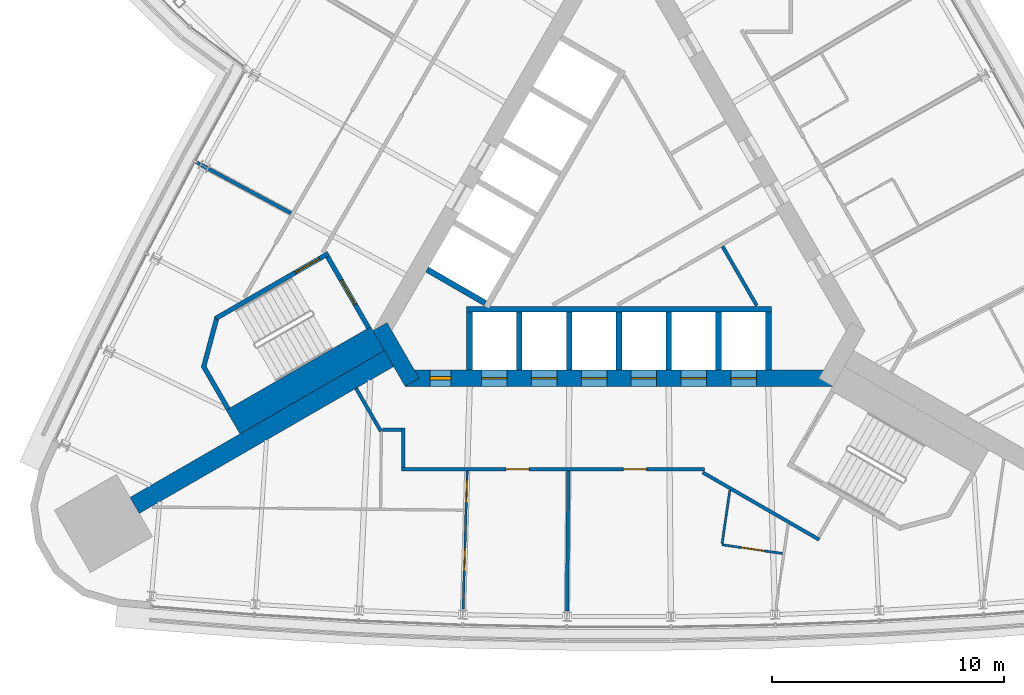
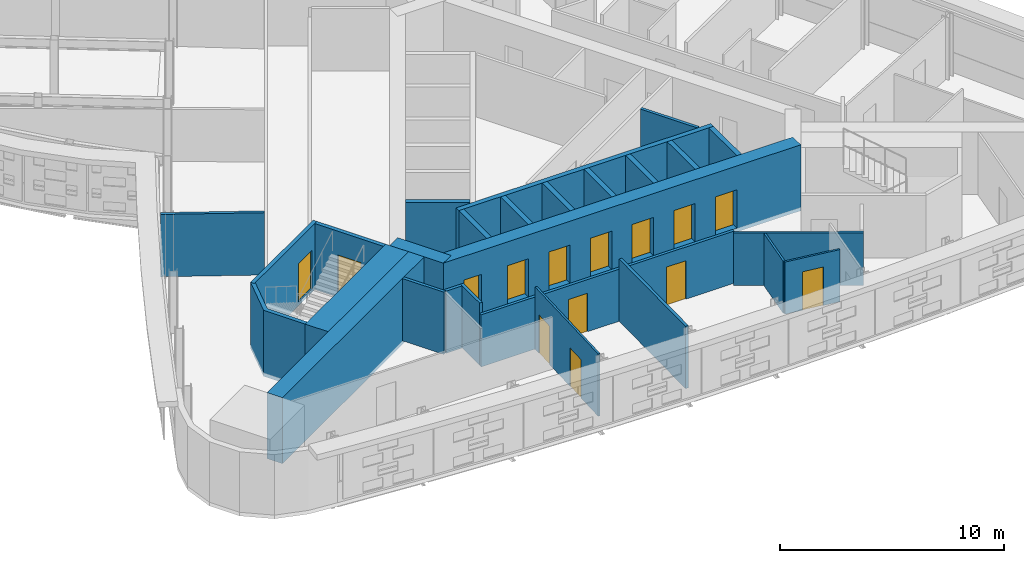
# One storey, part 11 of 17: 27 walls, 14 doors, 14 openings.
"""IFC4 building model written with IfcOpenShell, lengths in metres."""

from ifc_helpers import new_model, si_unit, direction, frame, frame_2d, origin, place, context, subcontext, project, spatial, polyline, rectangle, outline, extrude, material, layer, layer_set, type_object, element, fill, save


model = new_model("IFC4")

# Units and contexts
model_context = context("Model", 3, precision=1e-05, world=origin(), true_north=direction((0.0, 1.0)))
body_context = subcontext(model_context, "Body", "Model", "MODEL_VIEW")
ifc_project = project(units=[si_unit("LENGTHUNIT", "METRE"), si_unit("AREAUNIT", "SQUARE_METRE"), si_unit("VOLUMEUNIT", "CUBIC_METRE"), si_unit("PLANEANGLEUNIT", "RADIAN"), si_unit("MASSUNIT", "GRAM", prefix="KILO")], contexts=[model_context])

# Site, building, storey
site_placement = place(None, origin())
site = spatial("IfcSite", under=ifc_project, at=site_placement, CompositionType="ELEMENT")
building_placement = place(site_placement, origin())
building = spatial("IfcBuilding", under=site, at=building_placement, Name="Noor Cloister Tower", CompositionType="ELEMENT")
storey_placement = place(building_placement, frame((0.0, 0.0, 102.300048828125)))
storey = spatial("IfcBuildingStorey", under=building, at=storey_placement, Name="L26", CompositionType="ELEMENT", Elevation=102.300048828125)

# Walls
ifc_material_1 = material(Name="Concrete C80/95", Category="concrete")
ifc_layer_1 = layer(ifc_material_1, 0.800048828125)
ifc_layer_set_1 = layer_set([ifc_layer_1], Name="Buttress wall 800 C80/95")
wall_type_1 = type_object("IfcWallType", Name="Buttress wall 800 C80/95", PredefinedType="SHEAR", material=ifc_layer_set_1)
wall_1_placement = place(storey_placement, frame((-9.921630859375, -5.728271484375, -0.199951171875), z_axis=(0.0, 0.0, 1.0), x_axis=(-0.866029086277, -0.499993621681, 0.0)))
element("IfcWall", 1, at=wall_1_placement, inside=storey, type_object=wall_type_1, Name="Buttress wall SW L26", PredefinedType="SHEAR", context=body_context, shape_type="SweptSolid", body=[
    extrude(rectangle(XDim=12.677490234375, YDim=0.800048828125, at=frame_2d((6.3388671875, 0.0))), origin(), (0.0, 0.0, 1.0), 3.599853515625),
])
ifc_material_2 = material(Name="Concrete C30/37", Category="concrete")
ifc_layer_2 = layer(ifc_material_2, 0.14990234375)
ifc_layer_set_2 = layer_set([ifc_layer_2], Name="Core partition 150 C30/37")
wall_type_2 = type_object("IfcWallType", Name="Core partition 150 C30/37", PredefinedType="PARTITIONING", material=ifc_layer_set_2)
wall_2_placement = place(storey_placement, frame((5.944091796875, -3.439208984375, 0.0), z_axis=(0.0, 0.0, 1.0), x_axis=(-0.499997367627, 0.86602692358, 0.0)))
element("IfcWall", 2, at=wall_2_placement, inside=storey, type_object=wall_type_2, Name="Core room partition L26 2", PredefinedType="PARTITIONING", context=body_context, shape_type="SweptSolid", body=[
    extrude(rectangle(XDim=2.94677734375, YDim=0.14990234375, at=frame_2d((1.473388671875, 0.0))), origin(), (0.0, 0.0, 1.0), 3.39990234375),
])

# Wall, openings, doors
ifc_material_3 = material(Name="Concrete C80/95", Category="concrete")
ifc_layer_3 = layer(ifc_material_3, 0.699951171875)
ifc_layer_set_3 = layer_set([ifc_layer_3], Name="Core wall 700 C80/95")
wall_type_3 = type_object("IfcWallType", Name="Core wall 700 C80/95", PredefinedType="SHEAR", material=ifc_layer_set_3)
wall_3_placement = place(storey_placement, frame((-9.228759765625, -6.578125, -0.199951171875), z_axis=(0.0, 0.0, 1.0), x_axis=(1.0, 0.0, 0.0)))
wall_3 = element("IfcWall", 3, at=wall_3_placement, inside=storey, type_object=wall_type_3, Name="Core wall L26 1", PredefinedType="SHEAR", context=body_context, shape_type="SweptSolid", body=[
    extrude(rectangle(XDim=18.45751953125, YDim=0.699951171875, at=frame_2d((9.228759765625, 0.0))), origin(), (0.0, 0.0, 1.0), 3.599853515625),
])
opening_1_placement = place(wall_3_placement, frame((3.3037109375, 0.0, 0.199951171875)))
opening_1 = element("IfcOpeningElement", 4, at=opening_1_placement, cuts=wall_3, Name="Opening L26-LR1", PredefinedType="OPENING", context=body_context, shape_type="SweptSolid", body=[
    extrude(rectangle(XDim=1.10009765625, YDim=2.10009765625, at=frame_2d((0.550048828125, 1.050048828125))), frame((0.0, 0.35986328125, 0.0), z_axis=(0.0, -1.0, 0.0), x_axis=(1.0, 0.0, 0.0)), (0.0, 0.0, 1.0), 0.719970703125),
])
opening_2_placement = place(wall_3_placement, frame((5.45361328125, 0.0, 0.199951171875)))
opening_2 = element("IfcOpeningElement", 5, at=opening_2_placement, cuts=wall_3, Name="Opening L26-LR2", PredefinedType="OPENING", context=body_context, shape_type="SweptSolid", body=[
    extrude(rectangle(XDim=1.10009765625, YDim=2.10009765625, at=frame_2d((0.550048828125, 1.050048828125))), frame((0.0, 0.35986328125, 0.0), z_axis=(0.0, -1.0, 0.0), x_axis=(1.0, 0.0, 0.0)), (0.0, 0.0, 1.0), 0.719970703125),
])
opening_3_placement = place(wall_3_placement, frame((7.603759765625, 0.0, 0.199951171875)))
opening_3 = element("IfcOpeningElement", 6, at=opening_3_placement, cuts=wall_3, Name="Opening L26-LR3", PredefinedType="OPENING", context=body_context, shape_type="SweptSolid", body=[
    extrude(rectangle(XDim=1.10009765625, YDim=2.10009765625, at=frame_2d((0.550048828125, 1.050048828125))), frame((0.0, 0.35986328125, 0.0), z_axis=(0.0, -1.0, 0.0), x_axis=(1.0, 0.0, 0.0)), (0.0, 0.0, 1.0), 0.719970703125),
])
opening_4_placement = place(wall_3_placement, frame((9.753662109375, 0.0, 0.199951171875)))
opening_4 = element("IfcOpeningElement", 7, at=opening_4_placement, cuts=wall_3, Name="Opening L26-LR4", PredefinedType="OPENING", context=body_context, shape_type="SweptSolid", body=[
    extrude(rectangle(XDim=1.10009765625, YDim=2.10009765625, at=frame_2d((0.550048828125, 1.050048828125))), frame((0.0, 0.35986328125, 0.0), z_axis=(0.0, -1.0, 0.0), x_axis=(1.0, 0.0, 0.0)), (0.0, 0.0, 1.0), 0.719970703125),
])
opening_5_placement = place(wall_3_placement, frame((11.90380859375, 0.0, 0.199951171875)))
opening_5 = element("IfcOpeningElement", 8, at=opening_5_placement, cuts=wall_3, Name="Opening L26-LR5", PredefinedType="OPENING", context=body_context, shape_type="SweptSolid", body=[
    extrude(rectangle(XDim=1.10009765625, YDim=2.10009765625, at=frame_2d((0.550048828125, 1.050048828125))), frame((0.0, 0.35986328125, 0.0), z_axis=(0.0, -1.0, 0.0), x_axis=(1.0, 0.0, 0.0)), (0.0, 0.0, 1.0), 0.719970703125),
])
opening_6_placement = place(wall_3_placement, frame((14.0537109375, 0.0, 0.199951171875)))
opening_6 = element("IfcOpeningElement", 9, at=opening_6_placement, cuts=wall_3, Name="Opening L26-LR6", PredefinedType="OPENING", context=body_context, shape_type="SweptSolid", body=[
    extrude(rectangle(XDim=1.10009765625, YDim=2.10009765625, at=frame_2d((0.550048828125, 1.050048828125))), frame((0.0, 0.35986328125, 0.0), z_axis=(0.0, -1.0, 0.0), x_axis=(1.0, 0.0, 0.0)), (0.0, 0.0, 1.0), 0.719970703125),
])
opening_7_placement = place(wall_3_placement, frame((1.078857421875, 0.0, 0.199951171875)))
opening_7 = element("IfcOpeningElement", 10, at=opening_7_placement, cuts=wall_3, Name="Opening L26-907", PredefinedType="OPENING", context=body_context, shape_type="SweptSolid", body=[
    extrude(rectangle(XDim=0.89990234375, YDim=2.10009765625, at=frame_2d((0.449951171875, 1.050048828125))), frame((0.0, 0.35986328125, 0.0), z_axis=(0.0, -1.0, 0.0), x_axis=(1.0, 0.0, 0.0)), (0.0, 0.0, 1.0), 0.719970703125),
])
ifc_material_4 = material(Name="Steel", Category="steel")
door_type_1 = type_object("IfcDoorType", Name="Core door 900 x 2100 FD60", OperationType="SINGLE_SWING_LEFT", PredefinedType="DOOR", material=ifc_material_4)
door_1_placement = place(opening_7_placement, origin())
door_1 = element("IfcDoor", 11, at=door_1_placement, inside=storey, type_object=door_type_1, Name="Core door 7 L26", OperationType="SINGLE_SWING_LEFT", OverallHeight=2.10009765625, OverallWidth=0.89990234375, PredefinedType="DOOR", context=body_context, shape_type="SweptSolid", body=[
    extrude(rectangle(XDim=0.89990234375, YDim=2.10009765625, at=frame_2d((0.449951171875, 1.050048828125))), frame((0.0, 0.074951171875, 0.0), z_axis=(0.0, -1.0, 0.0), x_axis=(1.0, 0.0, 0.0)), (0.0, 0.0, 1.0), 0.14990234375),
])
fill(opening_7, door_1)
ifc_material_5 = material(Name="Stainless steel", Category="steel")
door_type_2 = type_object("IfcDoorType", Name="Lift landing door 1100 x 2100", OperationType="DOUBLE_DOOR_SLIDING", PredefinedType="DOOR", material=ifc_material_5)
door_2_placement = place(opening_1_placement, origin())
door_2 = element("IfcDoor", 12, at=door_2_placement, inside=storey, type_object=door_type_2, Name="Landing door LR1 L26", OperationType="DOUBLE_DOOR_SLIDING", OverallHeight=2.10009765625, OverallWidth=1.10009765625, PredefinedType="DOOR", context=body_context, shape_type="SweptSolid", body=[
    extrude(rectangle(XDim=1.10009765625, YDim=2.10009765625, at=frame_2d((0.550048828125, 1.050048828125))), frame((0.0, 0.02490234375, 0.0), z_axis=(0.0, -1.0, 0.0), x_axis=(1.0, 0.0, 0.0)), (0.0, 0.0, 1.0), 0.050048828125),
])
fill(opening_1, door_2)
door_3_placement = place(opening_2_placement, origin())
door_3 = element("IfcDoor", 13, at=door_3_placement, inside=storey, type_object=door_type_2, Name="Landing door LR2 L26", OperationType="DOUBLE_DOOR_SLIDING", OverallHeight=2.10009765625, OverallWidth=1.10009765625, PredefinedType="DOOR", context=body_context, shape_type="SweptSolid", body=[
    extrude(rectangle(XDim=1.10009765625, YDim=2.10009765625, at=frame_2d((0.550048828125, 1.050048828125))), frame((0.0, 0.02490234375, 0.0), z_axis=(0.0, -1.0, 0.0), x_axis=(1.0, 0.0, 0.0)), (0.0, 0.0, 1.0), 0.050048828125),
])
fill(opening_2, door_3)
door_4_placement = place(opening_3_placement, origin())
door_4 = element("IfcDoor", 14, at=door_4_placement, inside=storey, type_object=door_type_2, Name="Landing door LR3 L26", OperationType="DOUBLE_DOOR_SLIDING", OverallHeight=2.10009765625, OverallWidth=1.10009765625, PredefinedType="DOOR", context=body_context, shape_type="SweptSolid", body=[
    extrude(rectangle(XDim=1.10009765625, YDim=2.10009765625, at=frame_2d((0.550048828125, 1.050048828125))), frame((0.0, 0.02490234375, 0.0), z_axis=(0.0, -1.0, 0.0), x_axis=(1.0, 0.0, 0.0)), (0.0, 0.0, 1.0), 0.050048828125),
])
fill(opening_3, door_4)
door_5_placement = place(opening_4_placement, origin())
door_5 = element("IfcDoor", 15, at=door_5_placement, inside=storey, type_object=door_type_2, Name="Landing door LR4 L26", OperationType="DOUBLE_DOOR_SLIDING", OverallHeight=2.10009765625, OverallWidth=1.10009765625, PredefinedType="DOOR", context=body_context, shape_type="SweptSolid", body=[
    extrude(rectangle(XDim=1.10009765625, YDim=2.10009765625, at=frame_2d((0.550048828125, 1.050048828125))), frame((0.0, 0.02490234375, 0.0), z_axis=(0.0, -1.0, 0.0), x_axis=(1.0, 0.0, 0.0)), (0.0, 0.0, 1.0), 0.050048828125),
])
fill(opening_4, door_5)
door_6_placement = place(opening_5_placement, origin())
door_6 = element("IfcDoor", 16, at=door_6_placement, inside=storey, type_object=door_type_2, Name="Landing door LR5 L26", OperationType="DOUBLE_DOOR_SLIDING", OverallHeight=2.10009765625, OverallWidth=1.10009765625, PredefinedType="DOOR", context=body_context, shape_type="SweptSolid", body=[
    extrude(rectangle(XDim=1.10009765625, YDim=2.10009765625, at=frame_2d((0.550048828125, 1.050048828125))), frame((0.0, 0.02490234375, 0.0), z_axis=(0.0, -1.0, 0.0), x_axis=(1.0, 0.0, 0.0)), (0.0, 0.0, 1.0), 0.050048828125),
])
fill(opening_5, door_6)
door_7_placement = place(opening_6_placement, origin())
door_7 = element("IfcDoor", 17, at=door_7_placement, inside=storey, type_object=door_type_2, Name="Landing door LR6 L26", OperationType="DOUBLE_DOOR_SLIDING", OverallHeight=2.10009765625, OverallWidth=1.10009765625, PredefinedType="DOOR", context=body_context, shape_type="SweptSolid", body=[
    extrude(rectangle(XDim=1.10009765625, YDim=2.10009765625, at=frame_2d((0.550048828125, 1.050048828125))), frame((0.0, 0.02490234375, 0.0), z_axis=(0.0, -1.0, 0.0), x_axis=(1.0, 0.0, 0.0)), (0.0, 0.0, 1.0), 0.050048828125),
])
fill(opening_6, door_7)

# Wall
wall_4_placement = place(storey_placement, frame((-10.311279296875, -4.353271484375, -0.199951171875), z_axis=(0.0, 0.0, 1.0), x_axis=(0.500042739161, -0.866000726912, 0.0)))
element("IfcWall", 18, at=wall_4_placement, inside=storey, type_object=wall_type_3, Name="Core wall L26 6", PredefinedType="SHEAR", context=body_context, shape_type="SweptSolid", body=[
    extrude(rectangle(XDim=2.771240234375, YDim=0.699951171875, at=frame_2d((1.3857421875, 0.0))), origin(), (0.0, 0.0, 1.0), 3.599853515625),
])

# Wall, openings, doors
ifc_material_6 = material(Name="Gypsum board partition on steel studs, 150 mm", Category="steel")
ifc_layer_4 = layer(ifc_material_6, 0.14990234375)
ifc_layer_set_4 = layer_set([ifc_layer_4], Name="Flat wall 150")
wall_type_4 = type_object("IfcWallType", Name="Flat wall 150", PredefinedType="PARTITIONING", material=ifc_layer_set_4)
wall_5_placement = place(storey_placement, frame((3.68896484375, -10.503173828125, 0.0), z_axis=(0.0, 0.0, 1.0), x_axis=(-1.0, 0.0, 0.0)))
wall_5 = element("IfcWall", 19, at=wall_5_placement, inside=storey, type_object=wall_type_4, Name="Flat wall 150 L26 004", PredefinedType="PARTITIONING", context=body_context, shape_type="SweptSolid", body=[
    extrude(rectangle(XDim=13.067626953125, YDim=0.14990234375, at=frame_2d((6.53369140625, 0.0))), origin(), (0.0, 0.0, 1.0), 2.846923828125),
])
opening_8_placement = place(wall_5_placement, frame((7.567626953125, 0.0, 0.0)))
opening_8 = element("IfcOpeningElement", 20, at=opening_8_placement, cuts=wall_5, Name="Opening L26-008", PredefinedType="OPENING", context=body_context, shape_type="SweptSolid", body=[
    extrude(rectangle(XDim=1.0, YDim=2.10009765625, at=frame_2d((0.5, 1.050048828125))), frame((0.0, 0.0849609375, 0.0), z_axis=(0.0, -1.0, 0.0), x_axis=(1.0, 0.0, 0.0)), (0.0, 0.0, 1.0), 0.169921875),
])
opening_9_placement = place(wall_5_placement, frame((2.500732421875, 0.0, 0.0)))
opening_9 = element("IfcOpeningElement", 21, at=opening_9_placement, cuts=wall_5, Name="Opening L26-009", PredefinedType="OPENING", context=body_context, shape_type="SweptSolid", body=[
    extrude(rectangle(XDim=1.0, YDim=2.10009765625, at=frame_2d((0.5, 1.050048828125))), frame((0.0, 0.0849609375, 0.0), z_axis=(0.0, -1.0, 0.0), x_axis=(1.0, 0.0, 0.0)), (0.0, 0.0, 1.0), 0.169921875),
])
ifc_material_7 = material(Name="Timber door leaf with steel frame", Category="steel")
door_type_3 = type_object("IfcDoorType", Name="Flat entrance door 1000 FD60S", OperationType="NOTDEFINED", PredefinedType="DOOR", material=ifc_material_7)
door_8_placement = place(opening_8_placement, origin())
door_8 = element("IfcDoor", 22, at=door_8_placement, inside=storey, type_object=door_type_3, Name="Flat entrance door 1000 L26-008", OperationType="SINGLE_SWING_RIGHT", OverallHeight=2.10009765625, OverallWidth=1.0, PredefinedType="DOOR", context=body_context, shape_type="SweptSolid", body=[
    extrude(rectangle(XDim=1.0, YDim=2.10009765625, at=frame_2d((0.5, 1.050048828125))), frame((0.0, 0.02490234375, 0.0), z_axis=(0.0, -1.0, 0.0), x_axis=(1.0, 0.0, 0.0)), (0.0, 0.0, 1.0), 0.050048828125),
])
fill(opening_8, door_8)
door_9_placement = place(opening_9_placement, origin())
door_9 = element("IfcDoor", 23, at=door_9_placement, inside=storey, type_object=door_type_3, Name="Flat entrance door 1000 L26-009", OperationType="SINGLE_SWING_LEFT", OverallHeight=2.10009765625, OverallWidth=1.0, PredefinedType="DOOR", context=body_context, shape_type="SweptSolid", body=[
    extrude(rectangle(XDim=1.0, YDim=2.10009765625, at=frame_2d((0.5, 1.050048828125))), frame((0.0, 0.02490234375, 0.0), z_axis=(0.0, -1.0, 0.0), x_axis=(1.0, 0.0, 0.0)), (0.0, 0.0, 1.0), 0.050048828125),
])
fill(opening_9, door_9)

# Walls
wall_6_placement = place(storey_placement, frame((3.61328125, -10.643310546875, 0.0), z_axis=(0.0, 0.0, 1.0), x_axis=(0.866042728627, -0.499969991291, 0.0)))
element("IfcWall", 24, at=wall_6_placement, inside=storey, type_object=wall_type_4, Name="Flat wall 150 L26 005", PredefinedType="PARTITIONING", context=body_context, shape_type="SweptSolid", body=[
    extrude(rectangle(XDim=5.805419921875, YDim=0.14990234375, at=frame_2d((2.90283203125, 0.0))), origin(), (0.0, 0.0, 1.0), 2.846923828125),
])
wall_7_placement = place(storey_placement, frame((-11.34521484375, -7.01220703125, 0.0), z_axis=(0.0, 0.0, 1.0), x_axis=(0.499998569178, -0.866026229868, 0.0)))
element("IfcWall", 25, at=wall_7_placement, inside=storey, type_object=wall_type_4, Name="Flat wall 150 L26 011", PredefinedType="PARTITIONING", context=body_context, shape_type="SweptSolid", body=[
    extrude(rectangle(XDim=2.14306640625, YDim=0.14990234375, at=frame_2d((1.071533203125, 0.0))), origin(), (0.0, 0.0, 1.0), 3.39990234375),
])
wall_8_placement = place(storey_placement, frame((-9.3037109375, -10.42822265625, 0.0), z_axis=(0.0, 0.0, 1.0), x_axis=(0.0, 1.0, 0.0)))
element("IfcWall", 26, at=wall_8_placement, inside=storey, type_object=wall_type_4, Name="Flat wall 150 L26 014", PredefinedType="PARTITIONING", context=body_context, shape_type="SweptSolid", body=[
    extrude(rectangle(XDim=1.699951171875, YDim=0.14990234375, at=frame_2d((0.85009765625, 0.0))), origin(), (0.0, 0.0, 1.0), 3.39990234375),
])
wall_9_placement = place(storey_placement, frame((-10.208740234375, -8.80322265625, 0.0), z_axis=(0.0, 0.0, 1.0), x_axis=(1.0, 0.0, 0.0)))
element("IfcWall", 27, at=wall_9_placement, inside=storey, type_object=wall_type_4, Name="Flat wall 150 L26 015", PredefinedType="PARTITIONING", context=body_context, shape_type="SweptSolid", body=[
    extrude(rectangle(XDim=0.830078125, YDim=0.14990234375, at=frame_2d((0.4150390625, 0.0))), origin(), (0.0, 0.0, 1.0), 3.39990234375),
])
wall_10_placement = place(storey_placement, frame((-2.2421875, -16.616455078125, 0.0), z_axis=(0.0, 0.0, 1.0), x_axis=(0.009866078621, 0.999951329062, 0.0)))
element("IfcWall", 28, at=wall_10_placement, inside=storey, type_object=wall_type_4, Name="Flat wall 150 L26 021", PredefinedType="PARTITIONING", context=body_context, shape_type="SweptSolid", body=[
    extrude(rectangle(XDim=6.037841796875, YDim=0.14990234375, at=frame_2d((3.01904296875, 0.0))), origin(), (0.0, 0.0, 1.0), 3.39990234375),
])
wall_11_placement = place(storey_placement, frame((-18.239990234375, 2.7431640625, 0.0), z_axis=(0.0, 0.0, 1.0), x_axis=(0.88042716359, -0.474181410024, 0.0)))
element("IfcWall", 29, at=wall_11_placement, inside=storey, type_object=wall_type_4, Name="Flat wall 150 L26 022", PredefinedType="PARTITIONING", context=body_context, shape_type="SweptSolid", body=[
    extrude(rectangle(XDim=4.639404296875, YDim=0.14990234375, at=frame_2d((2.31982421875, 0.0))), origin(), (0.0, 0.0, 1.0), 3.39990234375),
])

# Wall, openings, doors
ifc_material_8 = material(Name="Gypsum board partition on steel studs, 100 mm", Category="steel")
ifc_layer_5 = layer(ifc_material_8, 0.10009765625)
ifc_layer_set_5 = layer_set([ifc_layer_5], Name="Partition 100")
wall_type_5 = type_object("IfcWallType", Name="Partition 100", PredefinedType="PARTITIONING", material=ifc_layer_set_5)
wall_12_placement = place(storey_placement, frame((-6.725341796875, -16.5283203125, 0.0), z_axis=(0.0, 0.0, 1.0), x_axis=(0.029495492599, 0.999564913308, 0.0)))
wall_12 = element("IfcWall", 30, at=wall_12_placement, inside=storey, type_object=wall_type_5, Name="Partition 100 L26 027", PredefinedType="PARTITIONING", context=body_context, shape_type="SweptSolid", body=[
    extrude(rectangle(XDim=5.951416015625, YDim=0.10009765625, at=frame_2d((2.9755859375, 0.0))), origin(), (0.0, 0.0, 1.0), 3.39990234375),
])
opening_10_placement = place(wall_12_placement, frame((4.598388671875, 0.0, 0.0)))
opening_10 = element("IfcOpeningElement", 31, at=opening_10_placement, cuts=wall_12, Name="Opening L26-017", PredefinedType="OPENING", context=body_context, shape_type="SweptSolid", body=[
    extrude(rectangle(XDim=1.0, YDim=2.10009765625, at=frame_2d((0.5, 1.050048828125))), frame((0.0, 0.06005859375, 0.0), z_axis=(0.0, -1.0, 0.0), x_axis=(1.0, 0.0, 0.0)), (0.0, 0.0, 1.0), 0.1201171875),
])
opening_11_placement = place(wall_12_placement, frame((1.634521484375, 0.0, 0.0)))
opening_11 = element("IfcOpeningElement", 32, at=opening_11_placement, cuts=wall_12, Name="Opening L26-018", PredefinedType="OPENING", context=body_context, shape_type="SweptSolid", body=[
    extrude(rectangle(XDim=1.0, YDim=2.10009765625, at=frame_2d((0.5, 1.050048828125))), frame((0.0, 0.06005859375, 0.0), z_axis=(0.0, -1.0, 0.0), x_axis=(1.0, 0.0, 0.0)), (0.0, 0.0, 1.0), 0.1201171875),
])
ifc_material_9 = material(Name="Timber door leaf with steel frame", Category="steel")
door_type_4 = type_object("IfcDoorType", Name="Interior door 1000", OperationType="NOTDEFINED", PredefinedType="DOOR", material=ifc_material_9)
door_10_placement = place(opening_10_placement, origin())
door_10 = element("IfcDoor", 33, at=door_10_placement, inside=storey, type_object=door_type_4, Name="Interior door 1000 L26-017", OperationType="SINGLE_SWING_RIGHT", OverallHeight=2.10009765625, OverallWidth=1.0, PredefinedType="DOOR", context=body_context, shape_type="SweptSolid", body=[
    extrude(rectangle(XDim=1.0, YDim=2.10009765625, at=frame_2d((0.5, 1.050048828125))), frame((0.0, 0.02490234375, 0.0), z_axis=(0.0, -1.0, 0.0), x_axis=(1.0, 0.0, 0.0)), (0.0, 0.0, 1.0), 0.050048828125),
])
fill(opening_10, door_10)
door_11_placement = place(opening_11_placement, origin())
door_11 = element("IfcDoor", 34, at=door_11_placement, inside=storey, type_object=door_type_4, Name="Interior door 1000 L26-018", OperationType="SINGLE_SWING_LEFT", OverallHeight=2.10009765625, OverallWidth=1.0, PredefinedType="DOOR", context=body_context, shape_type="SweptSolid", body=[
    extrude(rectangle(XDim=1.0, YDim=2.10009765625, at=frame_2d((0.5, 1.050048828125))), frame((0.0, 0.02490234375, 0.0), z_axis=(0.0, -1.0, 0.0), x_axis=(1.0, 0.0, 0.0)), (0.0, 0.0, 1.0), 0.050048828125),
])
fill(opening_11, door_11)

# Wall, opening, door
wall_13_placement = place(storey_placement, frame((4.44287109375, -13.76220703125, 0.0), z_axis=(0.0, 0.0, 1.0), x_axis=(0.989603850573, -0.143820092239, 0.0)))
wall_13 = element("IfcWall", 35, at=wall_13_placement, inside=storey, type_object=wall_type_5, Name="Partition 100 L26 032", PredefinedType="PARTITIONING", context=body_context, shape_type="SweptSolid", body=[
    extrude(rectangle(XDim=2.64990234375, YDim=0.10009765625, at=frame_2d((1.324951171875, 0.0))), origin(), (0.0, 0.0, 1.0), 2.846923828125),
])
opening_12_placement = place(wall_13_placement, frame((0.85009765625, 0.0, 0.0)))
opening_12 = element("IfcOpeningElement", 36, at=opening_12_placement, cuts=wall_13, Name="Opening L26-021", PredefinedType="OPENING", context=body_context, shape_type="SweptSolid", body=[
    extrude(rectangle(XDim=1.0, YDim=2.10009765625, at=frame_2d((0.5, 1.050048828125))), frame((0.0, 0.06005859375, 0.0), z_axis=(0.0, -1.0, 0.0), x_axis=(1.0, 0.0, 0.0)), (0.0, 0.0, 1.0), 0.1201171875),
])
door_12_placement = place(opening_12_placement, origin())
door_12 = element("IfcDoor", 37, at=door_12_placement, inside=storey, type_object=door_type_4, Name="Interior door 1000 L26-021", OperationType="SINGLE_SWING_RIGHT", OverallHeight=2.10009765625, OverallWidth=1.0, PredefinedType="DOOR", context=body_context, shape_type="SweptSolid", body=[
    extrude(rectangle(XDim=1.0, YDim=2.10009765625, at=frame_2d((0.5, 1.050048828125))), frame((0.0, 0.02490234375, 0.0), z_axis=(0.0, -1.0, 0.0), x_axis=(1.0, 0.0, 0.0)), (0.0, 0.0, 1.0), 0.050048828125),
])
fill(opening_12, door_12)

# Walls
wall_14_placement = place(storey_placement, frame((4.782470703125, -11.42626953125, 0.0), z_axis=(0.0, 0.0, 1.0), x_axis=(-0.14392103122, -0.989589175756, 0.0)))
element("IfcWall", 38, at=wall_14_placement, inside=storey, type_object=wall_type_5, Name="Partition 100 L26 035", PredefinedType="PARTITIONING", context=body_context, shape_type="SweptSolid", body=[
    extrude(rectangle(XDim=2.310546875, YDim=0.10009765625, at=frame_2d((1.1552734375, 0.0))), origin(), (0.0, 0.0, 1.0), 2.846923828125),
])
ifc_material_10 = material(Name="Concrete C80/95", Category="concrete")
ifc_layer_6 = layer(ifc_material_10, 0.25)
ifc_layer_set_6 = layer_set([ifc_layer_6], Name="Shaft wall 250 C80/95")
wall_type_6 = type_object("IfcWallType", Name="Shaft wall 250 C80/95", PredefinedType="PARTITIONING", material=ifc_layer_set_6)
for number, where, z_axis, x_axis, name in (
    (39, (-6.449951171875, -6.228271484375, -0.199951171875), (0.0, 0.0, 1.0), (0.0, 1.0, 0.0), "Lift shaft wall L26 S 1"),
    (40, (-4.300048828125, -6.228271484375, -0.199951171875), (0.0, 0.0, 1.0), (0.0, 1.0, 0.0), "Lift shaft wall L26 S 2"),
    (41, (-2.14990234375, -6.228271484375, -0.199951171875), (0.0, 0.0, 1.0), (0.0, 1.0, 0.0), "Lift shaft wall L26 S 3"),
    (42, (0.0, -6.228271484375, -0.199951171875), (0.0, 0.0, 1.0), (0.0, 1.0, 0.0), "Lift shaft wall L26 S 4"),
    (43, (2.14990234375, -6.228271484375, -0.199951171875), (0.0, 0.0, 1.0), (0.0, 1.0, 0.0), "Lift shaft wall L26 S 5"),
    (44, (4.300048828125, -6.228271484375, -0.199951171875), (0.0, 0.0, 1.0), (0.0, 1.0, 0.0), "Lift shaft wall L26 S 6"),
    (45, (6.449951171875, -6.228271484375, -0.199951171875), (0.0, 0.0, 1.0), (0.0, 1.0, 0.0), "Lift shaft wall L26 S 7"),
):
    element("IfcWall", number, at=place(storey_placement, frame(where, z_axis=z_axis, x_axis=x_axis)), inside=storey, type_object=wall_type_6, Name=name, PredefinedType="PARTITIONING", context=body_context, shape_type="SweptSolid", body=[
        extrude(rectangle(XDim=2.5, YDim=0.25, at=frame_2d((1.25, 0.0))), origin(), (0.0, 0.0, 1.0), 3.599853515625),
    ])
wall_15_placement = place(storey_placement, frame((-6.574951171875, -3.603271484375, 0.0), z_axis=(0.0, 0.0, 1.0), x_axis=(1.0, 0.0, 0.0)))
element("IfcWall", 46, at=wall_15_placement, inside=storey, type_object=wall_type_6, Name="Lift shaft back wall L26 S", PredefinedType="PARTITIONING", context=body_context, shape_type="SweptSolid", body=[
    extrude(rectangle(XDim=13.14990234375, YDim=0.25, at=frame_2d((6.574951171875, 0.0))), origin(), (0.0, 0.0, 1.0), 3.39990234375),
])
wall_16_placement = place(storey_placement, frame((-8.28125, -1.88720703125, -0.199951171875), z_axis=(0.0, 0.0, 1.0), x_axis=(0.866032775405, -0.499987231761, 0.0)))
element("IfcWall", 47, at=wall_16_placement, inside=storey, type_object=wall_type_6, Name="Lift shaft wall L26 NW 6", PredefinedType="PARTITIONING", context=body_context, shape_type="SweptSolid", body=[
    extrude(rectangle(XDim=2.89990234375, YDim=0.25, at=frame_2d((1.449951171875, 0.0))), origin(), (0.0, 0.0, 1.0), 3.599853515625),
])
ifc_material_11 = material(Name="Concrete C80/95", Category="concrete")
ifc_layer_7 = layer(ifc_material_11, 1.18603515625)
ifc_layer_set_7 = layer_set([ifc_layer_7], Name="Stair enclosure wall 1186 C80/95")
wall_type_7 = type_object("IfcWallType", Name="Stair enclosure wall 1186 C80/95", PredefinedType="SHEAR", material=ifc_layer_set_7)
wall_17_placement = place(storey_placement, frame((-10.41796875, -4.868408203125, -0.199951171875), z_axis=(0.0, 0.0, 1.0), x_axis=(-0.866018442252, -0.500012057535, 0.0)))
element("IfcWall", 48, at=wall_17_placement, inside=storey, type_object=wall_type_7, Name="Stair enclosure wall ST2 L26 riser side", PredefinedType="SHEAR", context=body_context, shape_type="SweptSolid", body=[
    extrude(rectangle(XDim=7.199951171875, YDim=1.185546875, at=frame_2d((3.60009765625, 0.0))), origin(), (0.0, 0.0, 1.0), 3.599853515625),
])

# Wall, opening, door
ifc_material_12 = material(Name="Concrete C80/95", Category="concrete")
ifc_layer_8 = layer(ifc_material_12, 0.199951171875)
ifc_layer_set_8 = layer_set([ifc_layer_8], Name="Stair enclosure wall 200 C80/95")
wall_type_8 = type_object("IfcWallType", Name="Stair enclosure wall 200 C80/95", PredefinedType="SHEAR", material=ifc_layer_set_8)
wall_18_placement = place(storey_placement, frame((-12.575927734375, -1.33056640625, -0.199951171875), z_axis=(0.0, 0.0, 1.0), x_axis=(0.499970499736, -0.8660424351, 0.0)))
wall_18 = element("IfcWall", 49, at=wall_18_placement, inside=storey, type_object=wall_type_8, Name="Stair enclosure wall ST2 L26 near end", PredefinedType="SHEAR", context=body_context, shape_type="SweptSolid", body=[
    extrude(rectangle(XDim=3.550048828125, YDim=0.199951171875, at=frame_2d((1.77490234375, 0.0))), origin(), (0.0, 0.0, 1.0), 3.599853515625),
])
opening_13_placement = place(wall_18_placement, frame((1.175048828125, 0.0, 0.199951171875)))
opening_13 = element("IfcOpeningElement", 50, at=opening_13_placement, cuts=wall_18, Name="Opening L26-ST2L", PredefinedType="OPENING", context=body_context, shape_type="SweptSolid", body=[
    extrude(rectangle(XDim=1.199951171875, YDim=2.10009765625, at=frame_2d((0.60009765625, 1.050048828125))), frame((0.0, 0.10986328125, 0.0), z_axis=(0.0, -1.0, 0.0), x_axis=(1.0, 0.0, 0.0)), (0.0, 0.0, 1.0), 0.219970703125),
])
ifc_material_13 = material(Name="Steel", Category="steel")
door_type_5 = type_object("IfcDoorType", Name="Stair door 1200 x 2100 FD120", OperationType="SINGLE_SWING_LEFT", PredefinedType="DOOR", material=ifc_material_13)
door_13_placement = place(opening_13_placement, origin())
door_13 = element("IfcDoor", 51, at=door_13_placement, inside=storey, type_object=door_type_5, Name="Stair door ST2 L26", OperationType="SINGLE_SWING_RIGHT", OverallHeight=2.10009765625, OverallWidth=1.199951171875, PredefinedType="DOOR", context=body_context, shape_type="SweptSolid", body=[
    extrude(rectangle(XDim=1.199951171875, YDim=2.10009765625, at=frame_2d((0.60009765625, 1.050048828125))), frame((0.0, 0.02490234375, 0.0), z_axis=(0.0, -1.0, 0.0), x_axis=(1.0, 0.0, 0.0)), (0.0, 0.0, 1.0), 0.050048828125),
])
fill(opening_13, door_13)

wall_19_placement = place(storey_placement, frame((-12.539306640625, -1.194091796875, -0.199951171875), z_axis=(0.0, 0.0, 1.0), x_axis=(-0.866045472092, -0.499965239061, 0.0)))
wall_19 = element("IfcWall", 52, at=wall_19_placement, inside=storey, type_object=wall_type_8, Name="Stair enclosure wall ST2 L26 outer side", PredefinedType="SHEAR", context=body_context, shape_type="SweptSolid", body=[
    extrude(rectangle(XDim=5.60009765625, YDim=0.199951171875, at=frame_2d((2.800048828125, 0.0))), origin(), (0.0, 0.0, 1.0), 3.599853515625),
])
opening_14_placement = place(wall_19_placement, frame((0.449951171875, 0.0, 0.199951171875)))
opening_14 = element("IfcOpeningElement", 53, at=opening_14_placement, cuts=wall_19, Name="Opening L26-ST2C", PredefinedType="OPENING", context=body_context, shape_type="SweptSolid", body=[
    extrude(rectangle(XDim=1.199951171875, YDim=2.10009765625, at=frame_2d((0.60009765625, 1.050048828125))), frame((0.0, 0.10986328125, 0.0), z_axis=(0.0, -1.0, 0.0), x_axis=(1.0, 0.0, 0.0)), (0.0, 0.0, 1.0), 0.219970703125),
])
door_14_placement = place(opening_14_placement, origin())
door_14 = element("IfcDoor", 54, at=door_14_placement, inside=storey, type_object=door_type_5, Name="Stair door ST2 L26", OperationType="SINGLE_SWING_LEFT", OverallHeight=2.10009765625, OverallWidth=1.199951171875, PredefinedType="DOOR", context=body_context, shape_type="SweptSolid", body=[
    extrude(rectangle(XDim=1.199951171875, YDim=2.10009765625, at=frame_2d((0.60009765625, 1.050048828125))), frame((0.0, 0.02490234375, 0.0), z_axis=(0.0, -1.0, 0.0), x_axis=(1.0, 0.0, 0.0)), (0.0, 0.0, 1.0), 0.050048828125),
])
fill(opening_14, door_14)

# Wall
ifc_material_14 = material(Name="Concrete C80/95", Category="concrete")
wall_type_9 = type_object("IfcWallType", Name="Stair far end wall C80/95", PredefinedType="SHEAR", material=ifc_material_14)
wall_20_placement = place(storey_placement, frame((0.0, 0.0, -0.199951171875)))
element("IfcWall", 55, at=wall_20_placement, inside=storey, type_object=wall_type_9, Name="Stair enclosure wall ST2 L26 far end", PredefinedType="SHEAR", context=body_context, shape_type="SweptSolid", body=[
    extrude(outline(polyline([(-17.439208984375, -3.907470703125), (-18.024658203125, -6.093017578125), (-16.94970703125, -7.955078125), (-16.776611328125, -7.85498046875), (-17.81005859375, -6.064697265625), (-17.267333984375, -4.039306640625), (-17.339111328125, -4.08056640625), (-17.339111328125, -4.08056640625), (-17.339111328125, -4.08056640625), (-17.339111328125, -4.08056640625), (-17.339111328125, -4.08056640625), (-17.339111328125, -4.08056640625), (-17.339111328125, -4.08056640625), (-17.339111328125, -4.08056640625), (-17.339111328125, -4.08056640625), (-17.339111328125, -4.08056640625), (-17.339111328125, -4.08056640625), (-17.339111328125, -4.08056640625), (-17.339111328125, -4.08056640625), (-17.339111328125, -4.08056640625), (-17.339111328125, -4.08056640625), (-17.339111328125, -4.08056640625), (-17.339111328125, -4.08056640625), (-17.439208984375, -3.907470703125)])), origin(), (0.0, 0.0, 1.0), 3.599853515625),
])

save(model, "model.ifc")
